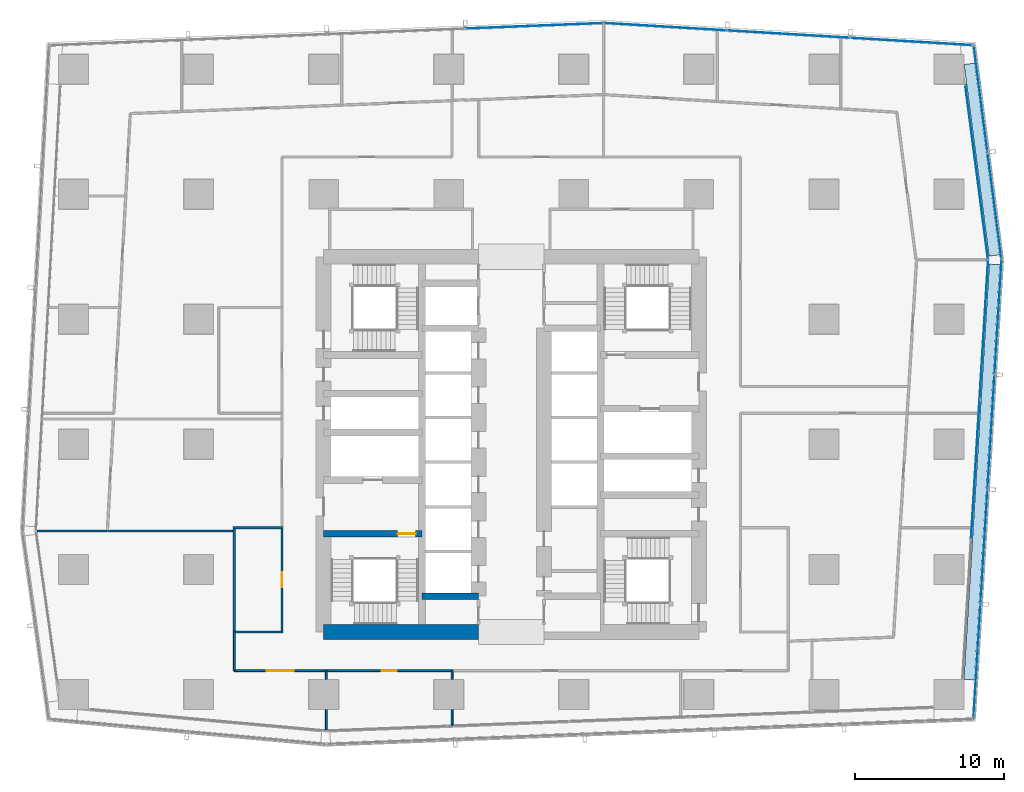
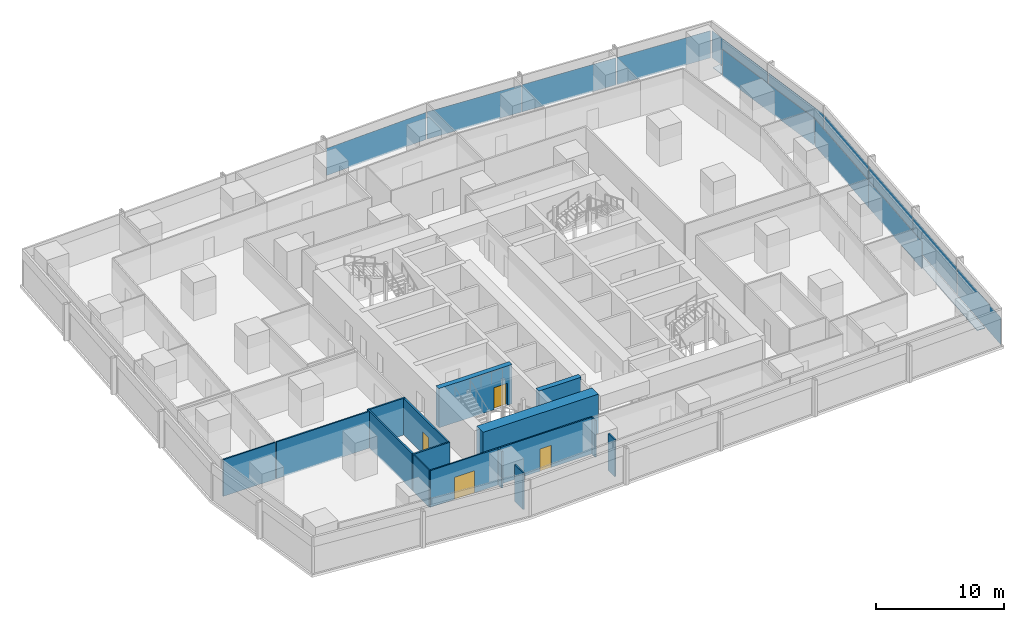
# One storey, part 28 of 39: 16 walls, 15 plates, 4 doors, 4 openings, 6 elements without a shape of their own.
"""IFC4 building model written with IfcOpenShell, lengths in metres."""

from ifc_helpers import new_model, si_unit, direction, frame, frame_2d, origin, origin_2d, place, context, subcontext, project, spatial, rectangle, extrude, material, layer, layer_set, type_object, element, fill, aggregate, save


model = new_model("IFC4")

# Units and contexts
model_context = context("Model", 3, precision=1e-05, world=origin(), true_north=direction((0.0, 1.0)))
body_context = subcontext(model_context, "Body", "Model", "MODEL_VIEW")
ifc_project = project(units=[si_unit("LENGTHUNIT", "METRE"), si_unit("AREAUNIT", "SQUARE_METRE"), si_unit("VOLUMEUNIT", "CUBIC_METRE"), si_unit("PLANEANGLEUNIT", "RADIAN"), si_unit("MASSUNIT", "GRAM", prefix="KILO")], contexts=[model_context])

# Site, building, storey
site_placement = place(None, origin())
site = spatial("IfcSite", under=ifc_project, at=site_placement, CompositionType="ELEMENT")
building_placement = place(site_placement, origin())
building = spatial("IfcBuilding", under=site, at=building_placement, Name="Rekha Terrace Tower", CompositionType="ELEMENT")
storey_placement = place(building_placement, frame((0.0, 0.0, 151.550048828125)))
storey = spatial("IfcBuildingStorey", under=building, at=storey_placement, Name="L38", CompositionType="ELEMENT", Elevation=151.550048828125)

# Curtain wall, plates
ifc_material_1 = material(Name="Aluminium framing", Category="aluminium")
curtain_wall_type_1 = type_object("IfcCurtainWallType", Name="CW1 double skin inner glazing", PredefinedType="USERDEFINED", material=ifc_material_1)
curtain_wall_1_placement = place(storey_placement, origin())
curtain_wall_1 = element("IfcCurtainWall", 1, at=curtain_wall_1_placement, inside=storey, type_object=curtain_wall_type_1, Name="CW1 double skin inner glazing", ObjectType="DOUBLE SKIN INNER GLAZING", PredefinedType="USERDEFINED")
ifc_material_2 = material(Name="Double-glazed low-e unit 32", Category="glass")
ifc_layer_1 = layer(ifc_material_2, 0.031982421875)
ifc_layer_set_1 = layer_set([ifc_layer_1], Name="Double-glazed low-e unit 32")
plate_type_1 = type_object("IfcPlateType", Name="CW1 jumbo vision panel, double-glazed low-e unit 32", PredefinedType="CURTAIN_PANEL", material=ifc_layer_set_1)
plate_1_placement = place(storey_placement, frame((68.973388671875, 31.898681640625, 0.0), z_axis=(0.0, 0.0, 1.0), x_axis=(0.061159803131, 0.998127987024, 0.0)))
plate_1 = element("IfcPlate", 2, at=plate_1_placement, type_object=plate_type_1, Name="CW1 panel 2.1", PredefinedType="CURTAIN_PANEL", context=body_context, shape_type="SweptSolid", body=[
    extrude(rectangle(XDim=9.334716796875, YDim=0.031982421875, at=origin_2d()), origin(), (0.0, 0.0, 1.0), 2.60009765625),
])
plate_2_placement = place(storey_placement, frame((69.54931640625, 41.296875, 0.0), z_axis=(0.0, 0.0, 1.0), x_axis=(0.061159803131, 0.998127987024, 0.0)))
plate_2 = element("IfcPlate", 3, at=plate_2_placement, type_object=plate_type_1, Name="CW1 panel 3.1", PredefinedType="CURTAIN_PANEL", context=body_context, shape_type="SweptSolid", body=[
    extrude(rectangle(XDim=9.3671875, YDim=0.031982421875, at=origin_2d()), origin(), (0.0, 0.0, 1.0), 2.60009765625),
])
aggregate(curtain_wall_1, [plate_1, plate_2])

# Curtain wall, plate
curtain_wall_2_placement = place(storey_placement, origin())
curtain_wall_2 = element("IfcCurtainWall", 4, at=curtain_wall_2_placement, inside=storey, type_object=curtain_wall_type_1, Name="CW1 double skin inner glazing", ObjectType="DOUBLE SKIN INNER GLAZING", PredefinedType="USERDEFINED")
plate_3_placement = place(storey_placement, frame((69.066162109375, 51.882080078125, 0.0), z_axis=(0.0, 0.0, 1.0), x_axis=(-0.129118383675, 0.991629186237, 0.0)))
plate_3 = element("IfcPlate", 5, at=plate_3_placement, type_object=plate_type_1, Name="CW1 panel 1.1", PredefinedType="CURTAIN_PANEL", context=body_context, shape_type="SweptSolid", body=[
    extrude(rectangle(XDim=11.79052734375, YDim=0.031982421875, at=origin_2d()), origin(), (0.0, 0.0, 1.0), 2.60009765625),
])
aggregate(curtain_wall_2, [plate_3])

# Curtain wall, plates
curtain_wall_type_2 = type_object("IfcCurtainWallType", Name="CW2 double skin outer glazing", PredefinedType="USERDEFINED", material=ifc_material_1)
curtain_wall_3_placement = place(storey_placement, origin())
curtain_wall_3 = element("IfcCurtainWall", 6, at=curtain_wall_3_placement, inside=storey, type_object=curtain_wall_type_2, Name="CW2 double skin outer glazing", ObjectType="DOUBLE SKIN OUTER GLAZING", PredefinedType="USERDEFINED")
ifc_material_3 = material(Name="Toughened single glazing 12", Category="glass")
ifc_layer_2 = layer(ifc_material_3, 0.011962890625)
ifc_layer_set_2 = layer_set([ifc_layer_2], Name="Toughened single glazing 12")
plate_type_2 = type_object("IfcPlateType", Name="CW2 jumbo vision panel, toughened single glazing 12", PredefinedType="CURTAIN_PANEL", material=ifc_layer_set_2)
plate_4_placement = place(storey_placement, frame((69.086669921875, 19.0302734375, 0.0), z_axis=(0.0, 0.0, 1.0), x_axis=(0.061159803131, 0.998127987024, 0.0)))
plate_4 = element("IfcPlate", 7, at=plate_4_placement, type_object=plate_type_2, Name="CW2 panel 1.1", PredefinedType="CURTAIN_PANEL", context=body_context, shape_type="SweptSolid", body=[
    extrude(rectangle(XDim=7.6064453125, YDim=0.011962890625, at=origin_2d()), origin(), (0.0, 0.0, 1.0), 2.60009765625),
])
plate_5_placement = place(storey_placement, frame((69.557861328125, 26.722412109375, 0.0), z_axis=(0.0, 0.0, 1.0), x_axis=(0.061159803131, 0.998127987024, 0.0)))
plate_5 = element("IfcPlate", 8, at=plate_5_placement, type_object=plate_type_2, Name="CW2 panel 2.1", PredefinedType="CURTAIN_PANEL", context=body_context, shape_type="SweptSolid", body=[
    extrude(rectangle(XDim=7.646484375, YDim=0.011962890625, at=origin_2d()), origin(), (0.0, 0.0, 1.0), 2.60009765625),
])
plate_6_placement = place(storey_placement, frame((70.030517578125, 34.434326171875, 0.0), z_axis=(0.0, 0.0, 1.0), x_axis=(0.061159803131, 0.998127987024, 0.0)))
plate_6 = element("IfcPlate", 9, at=plate_6_placement, type_object=plate_type_2, Name="CW2 panel 3.1", PredefinedType="CURTAIN_PANEL", context=body_context, shape_type="SweptSolid", body=[
    extrude(rectangle(XDim=7.646484375, YDim=0.011962890625, at=origin_2d()), origin(), (0.0, 0.0, 1.0), 2.60009765625),
])
plate_7_placement = place(storey_placement, frame((70.50439453125, 42.16650390625, 0.0), z_axis=(0.0, 0.0, 1.0), x_axis=(0.061159803131, 0.998127987024, 0.0)))
plate_7 = element("IfcPlate", 10, at=plate_7_placement, type_object=plate_type_2, Name="CW2 panel 4.1", PredefinedType="CURTAIN_PANEL", context=body_context, shape_type="SweptSolid", body=[
    extrude(rectangle(XDim=7.6865234375, YDim=0.011962890625, at=origin_2d()), origin(), (0.0, 0.0, 1.0), 2.60009765625),
])
aggregate(curtain_wall_3, [plate_4, plate_5, plate_6, plate_7])

curtain_wall_4_placement = place(storey_placement, origin())
curtain_wall_4 = element("IfcCurtainWall", 11, at=curtain_wall_4_placement, inside=storey, type_object=curtain_wall_type_2, Name="CW2 double skin outer glazing", ObjectType="DOUBLE SKIN OUTER GLAZING", PredefinedType="USERDEFINED")
plate_8_placement = place(storey_placement, frame((70.2666015625, 49.6337890625, 0.0), z_axis=(0.0, 0.0, 1.0), x_axis=(-0.129118383623, 0.991629186244, 0.0)))
plate_8 = element("IfcPlate", 12, at=plate_8_placement, type_object=plate_type_2, Name="CW2 panel 1.1", PredefinedType="CURTAIN_PANEL", context=body_context, shape_type="SweptSolid", body=[
    extrude(rectangle(XDim=7.163818359375, YDim=0.011962890625, at=origin_2d()), origin(), (0.0, 0.0, 1.0), 2.60009765625),
])
plate_9_placement = place(storey_placement, frame((69.331298828125, 56.81689453125, 0.0), z_axis=(0.0, 0.0, 1.0), x_axis=(-0.129118383623, 0.991629186244, 0.0)))
plate_9 = element("IfcPlate", 13, at=plate_9_placement, type_object=plate_type_2, Name="CW2 panel 2.1", PredefinedType="CURTAIN_PANEL", context=body_context, shape_type="SweptSolid", body=[
    extrude(rectangle(XDim=7.163818359375, YDim=0.011962890625, at=origin_2d()), origin(), (0.0, 0.0, 1.0), 2.60009765625),
])
aggregate(curtain_wall_4, [plate_8, plate_9])

curtain_wall_type_3 = type_object("IfcCurtainWallType", Name="CW3 north unitised glazing", PredefinedType="USERDEFINED", material=ifc_material_1)
curtain_wall_5_placement = place(storey_placement, origin())
curtain_wall_5 = element("IfcCurtainWall", 14, at=curtain_wall_5_placement, inside=storey, type_object=curtain_wall_type_3, Name="CW3 unitised curtain wall", ObjectType="UNITISED CURTAIN WALL", PredefinedType="USERDEFINED")
ifc_material_4 = material(Name="Double-glazed unit 28", Category="glass")
ifc_layer_3 = layer(ifc_material_4, 0.028076171875)
ifc_layer_set_3 = layer_set([ifc_layer_3], Name="Double-glazed unit 28")
plate_type_3 = type_object("IfcPlateType", Name="CW3 jumbo vision panel, double-glazed unit 28", PredefinedType="CURTAIN_PANEL", material=ifc_layer_set_3)
plate_10_placement = place(storey_placement, frame((64.6748046875, 60.65966796875, 0.0), z_axis=(0.0, 0.0, 1.0), x_axis=(-0.998199102701, 0.059987926837, 0.0)))
plate_10 = element("IfcPlate", 15, at=plate_10_placement, type_object=plate_type_3, Name="CW3 panel 1.1", PredefinedType="CURTAIN_PANEL", context=body_context, shape_type="SweptSolid", body=[
    extrude(rectangle(XDim=8.171630859375, YDim=0.028076171875, at=origin_2d()), origin(), (0.0, 0.0, 1.0), 2.60009765625),
])
plate_11_placement = place(storey_placement, frame((56.430419921875, 61.155029296875, 0.0), z_axis=(0.0, 0.0, 1.0), x_axis=(-0.998199102701, 0.059987926837, 0.0)))
plate_11 = element("IfcPlate", 16, at=plate_11_placement, type_object=plate_type_3, Name="CW3 panel 2.1", PredefinedType="CURTAIN_PANEL", context=body_context, shape_type="SweptSolid", body=[
    extrude(rectangle(XDim=8.20654296875, YDim=0.028076171875, at=origin_2d()), origin(), (0.0, 0.0, 1.0), 2.60009765625),
])
plate_12_placement = place(storey_placement, frame((48.1513671875, 61.652587890625, 0.0), z_axis=(0.0, 0.0, 1.0), x_axis=(-0.998199102701, 0.059987926837, 0.0)))
plate_12 = element("IfcPlate", 17, at=plate_12_placement, type_object=plate_type_3, Name="CW3 panel 3.1", PredefinedType="CURTAIN_PANEL", context=body_context, shape_type="SweptSolid", body=[
    extrude(rectangle(XDim=8.24169921875, YDim=0.028076171875, at=origin_2d()), origin(), (0.0, 0.0, 1.0), 2.60009765625),
])
aggregate(curtain_wall_5, [plate_10, plate_11, plate_12])

# Curtain wall, plate
curtain_wall_6_placement = place(storey_placement, origin())
curtain_wall_6 = element("IfcCurtainWall", 18, at=curtain_wall_6_placement, inside=storey, type_object=curtain_wall_type_3, Name="CW3 unitised curtain wall", ObjectType="UNITISED CURTAIN WALL", PredefinedType="USERDEFINED")
plate_13_placement = place(storey_placement, frame((39.364501953125, 61.71240234375, 0.0), z_axis=(0.0, 0.0, 1.0), x_axis=(-0.999198398721, -0.040031987119, 0.0)))
plate_13 = element("IfcPlate", 19, at=plate_13_placement, type_object=plate_type_3, Name="CW3 panel 1.1", PredefinedType="CURTAIN_PANEL", context=body_context, shape_type="SweptSolid", body=[
    extrude(rectangle(XDim=9.214599609375, YDim=0.028076171875, at=origin_2d()), origin(), (0.0, 0.0, 1.0), 2.60009765625),
])
aggregate(curtain_wall_6, [plate_13])

# Plates
ifc_material_5 = material(Name="Galvanised steel open grating", Category="steel")
ifc_layer_4 = layer(ifc_material_5, 0.050048828125)
ifc_layer_set_4 = layer_set([ifc_layer_4], Name="Galvanised steel open grating")
plate_type_4 = type_object("IfcPlateType", Name="GT1 cavity walkway grating 50", PredefinedType="USERDEFINED", material=ifc_layer_set_4)
plate_14_placement = place(storey_placement, frame((69.414794921875, 31.742919921875, 0.0), z_axis=(0.0, 0.0, 1.0), x_axis=(0.061159803131, 0.998127987024, 0.0)))
element("IfcPlate", 20, at=plate_14_placement, inside=storey, type_object=plate_type_4, Name="Cavity walkway grating", ObjectType="CAVITY WALKWAY GRATING", PredefinedType="USERDEFINED", context=body_context, shape_type="SweptSolid", body=[
    extrude(rectangle(XDim=27.94189453125, YDim=0.705078125, at=origin_2d()), origin(), (0.0, 0.0, 1.0), 0.050048828125),
])
plate_15_placement = place(storey_placement, frame((69.410400390625, 52.723876953125, 0.0), z_axis=(0.0, 0.0, 1.0), x_axis=(-0.129118383623, 0.991629186244, 0.0)))
element("IfcPlate", 21, at=plate_15_placement, inside=storey, type_object=plate_type_4, Name="Cavity walkway grating", ObjectType="CAVITY WALKWAY GRATING", PredefinedType="USERDEFINED", context=body_context, shape_type="SweptSolid", body=[
    extrude(rectangle(XDim=12.987060546875, YDim=0.705078125, at=origin_2d()), origin(), (0.0, 0.0, 1.0), 0.050048828125),
])

# Wall
ifc_material_6 = material(Name="Concrete M70", Category="concrete")
ifc_layer_5 = layer(ifc_material_6, 0.449951171875)
ifc_layer_set_5 = layer_set([ifc_layer_5], Name="Concrete M70")
wall_type_1 = type_object("IfcWallType", Name="CI2 450 core internal shear wall", PredefinedType="SHEAR", material=ifc_layer_set_5)
wall_1_placement = place(storey_placement, frame((31.800048828125, 23.39990234375, 0.0), z_axis=(0.0, 0.0, 1.0), x_axis=(1.0, 0.0, 0.0)))
element("IfcWall", 22, at=wall_1_placement, inside=storey, type_object=wall_type_1, Name="Core wall Y234W L38", PredefinedType="SHEAR", context=body_context, shape_type="SweptSolid", body=[
    extrude(rectangle(XDim=3.800048828125, YDim=0.449951171875, at=frame_2d((1.89990234375, 0.0))), origin(), (0.0, 0.0, 1.0), 3.75),
])

# Wall, opening, door
wall_2_placement = place(storey_placement, frame((25.199951171875, 27.60009765625, 0.0), z_axis=(0.0, 0.0, 1.0), x_axis=(1.0, 0.0, 0.0)))
wall_2 = element("IfcWall", 23, at=wall_2_placement, inside=storey, type_object=wall_type_1, Name="Core wall Y276W L38", PredefinedType="SHEAR", context=body_context, shape_type="SweptSolid", body=[
    extrude(rectangle(XDim=6.60009765625, YDim=0.449951171875, at=frame_2d((3.300048828125, 0.0))), origin(), (0.0, 0.0, 1.0), 3.75),
])
opening_1_placement = place(wall_2_placement, frame((4.97509765625, 0.0, 0.0)))
opening_1 = element("IfcOpeningElement", 24, at=opening_1_placement, cuts=wall_2, Name="Opening D1", PredefinedType="OPENING", context=body_context, shape_type="SweptSolid", body=[
    extrude(rectangle(XDim=1.199951171875, YDim=2.10009765625, at=frame_2d((0.60009765625, 1.050048828125))), frame((0.0, 0.23486328125, 0.0), z_axis=(0.0, -1.0, 0.0), x_axis=(1.0, 0.0, 0.0)), (0.0, 0.0, 1.0), 0.469970703125),
])
ifc_material_7 = material(Name="Steel fire door", Category="steel")
door_type_1 = type_object("IfcDoorType", Name="D1 1200x2100 stair fire door", OperationType="SINGLE_SWING_RIGHT", PredefinedType="DOOR", material=ifc_material_7)
door_1_placement = place(opening_1_placement, origin())
door_1 = element("IfcDoor", 25, at=door_1_placement, inside=storey, type_object=door_type_1, Name="Stair ST1 door L38", OperationType="SINGLE_SWING_RIGHT", OverallHeight=2.10009765625, OverallWidth=1.199951171875, PredefinedType="DOOR", context=body_context, shape_type="SweptSolid", body=[
    extrude(rectangle(XDim=1.199951171875, YDim=2.10009765625, at=frame_2d((0.60009765625, 1.050048828125))), frame((0.0, 0.02490234375, 0.0), z_axis=(0.0, -1.0, 0.0), x_axis=(1.0, 0.0, 0.0)), (0.0, 0.0, 1.0), 0.050048828125),
])
fill(opening_1, door_1)

# Walls
ifc_layer_6 = layer(ifc_material_6, 1.0)
ifc_layer_set_6 = layer_set([ifc_layer_6], Name="Concrete M70")
wall_type_2 = type_object("IfcWallType", Name="SW2 1000 core outer shear wall", PredefinedType="SHEAR", material=ifc_layer_set_6)
wall_3_placement = place(storey_placement, frame((25.199951171875, 21.0, 0.0), z_axis=(0.0, 0.0, 1.0), x_axis=(1.0, 0.0, 0.0)))
element("IfcWall", 26, at=wall_3_placement, inside=storey, type_object=wall_type_2, Name="Core wall S1 L38", PredefinedType="SHEAR", context=body_context, shape_type="SweptSolid", body=[
    extrude(rectangle(XDim=10.400146484375, YDim=1.0, at=frame_2d((5.2001953125, 0.0))), origin(), (0.0, 0.0, 1.0), 3.75),
])
ifc_material_8 = material(Name="Concrete block masonry, 1 hour", Category="masonry")
ifc_layer_7 = layer(ifc_material_8, 0.14990234375)
ifc_layer_set_7 = layer_set([ifc_layer_7], Name="Concrete block masonry, 1 hour")
wall_type_3 = type_object("IfcWallType", Name="WP2 150 tenancy partition", PredefinedType="PARTITIONING", material=ifc_layer_set_7)
for number, where, z_axis, x_axis, name in (
    (27, (19.125, 21.0, 0.0), (0.0, 0.0, 1.0), (1.0, 0.0, 0.0), "Men's WC wall L38"),
    (28, (19.125, 28.0, 0.0), (0.0, 0.0, 1.0), (1.0, 0.0, 0.0), "Men's WC wall L38"),
):
    element("IfcWall", number, at=place(storey_placement, frame(where, z_axis=z_axis, x_axis=x_axis)), inside=storey, type_object=wall_type_3, Name=name, PredefinedType="PARTITIONING", context=body_context, shape_type="SweptSolid", body=[
        extrude(rectangle(XDim=3.35009765625, YDim=0.14990234375, at=frame_2d((1.675048828125, 0.0))), origin(), (0.0, 0.0, 1.0), 3.5),
    ])
wall_4_placement = place(storey_placement, frame((19.199951171875, 21.074951171875, 0.0), z_axis=(0.0, 0.0, 1.0), x_axis=(0.0, 1.0, 0.0)))
element("IfcWall", 29, at=wall_4_placement, inside=storey, type_object=wall_type_3, Name="Men's WC wall L38", PredefinedType="PARTITIONING", context=body_context, shape_type="SweptSolid", body=[
    extrude(rectangle(XDim=6.85009765625, YDim=0.14990234375, at=frame_2d((3.425048828125, 0.0))), origin(), (0.0, 0.0, 1.0), 3.5),
])

# Wall, opening, door
wall_5_placement = place(storey_placement, frame((22.39990234375, 21.074951171875, 0.0), z_axis=(0.0, 0.0, 1.0), x_axis=(0.0, 1.0, 0.0)))
wall_5 = element("IfcWall", 30, at=wall_5_placement, inside=storey, type_object=wall_type_3, Name="Men's WC wall L38", PredefinedType="PARTITIONING", context=body_context, shape_type="SweptSolid", body=[
    extrude(rectangle(XDim=6.85009765625, YDim=0.14990234375, at=frame_2d((3.425048828125, 0.0))), origin(), (0.0, 0.0, 1.0), 3.5),
])
opening_2_placement = place(wall_5_placement, frame((2.925048828125, 0.0, 0.0)))
opening_2 = element("IfcOpeningElement", 31, at=opening_2_placement, cuts=wall_5, Name="Opening D3", PredefinedType="OPENING", context=body_context, shape_type="SweptSolid", body=[
    extrude(rectangle(XDim=1.0, YDim=2.10009765625, at=frame_2d((0.5, 1.050048828125))), frame((0.0, 0.0849609375, 0.0), z_axis=(0.0, -1.0, 0.0), x_axis=(1.0, 0.0, 0.0)), (0.0, 0.0, 1.0), 0.169921875),
])
ifc_material_9 = material(Name="Laminated timber fire door", Category="wood")
door_type_2 = type_object("IfcDoorType", Name="D3 1000x2100 WC door", OperationType="SINGLE_SWING_LEFT", PredefinedType="DOOR", material=ifc_material_9)
door_2_placement = place(opening_2_placement, origin())
door_2 = element("IfcDoor", 32, at=door_2_placement, inside=storey, type_object=door_type_2, Name="Door men's wc L38", OperationType="SINGLE_SWING_LEFT", OverallHeight=2.10009765625, OverallWidth=1.0, PredefinedType="DOOR", context=body_context, shape_type="SweptSolid", body=[
    extrude(rectangle(XDim=1.0, YDim=2.10009765625, at=frame_2d((0.5, 1.050048828125))), frame((0.0, 0.02490234375, 0.0), z_axis=(0.0, -1.0, 0.0), x_axis=(1.0, 0.0, 0.0)), (0.0, 0.0, 1.0), 0.050048828125),
])
fill(opening_2, door_2)

# Walls
ifc_material_10 = material(Name="Two layers of fire-rated gypsum board each side on steel studs, acoustic quilt, 1 hour", Category="steel")
ifc_layer_8 = layer(ifc_material_10, 0.125)
ifc_layer_set_8 = layer_set([ifc_layer_8], Name="Two layers of fire-rated gypsum board each side on steel studs, acoustic quilt, 1 hour")
wall_type_4 = type_object("IfcWallType", Name="WP3 125 office partition", PredefinedType="PARTITIONING", material=ifc_layer_set_8)
wall_6_placement = place(storey_placement, frame((5.948974609375, 27.781005859375, 0.0), z_axis=(0.0, 0.0, 1.0), x_axis=(1.0, 0.0, 0.0)))
element("IfcWall", 33, at=wall_6_placement, inside=storey, type_object=wall_type_4, Name="Partition L38-08", PredefinedType="PARTITIONING", context=body_context, shape_type="SweptSolid", body=[
    extrude(rectangle(XDim=4.719970703125, YDim=0.125, at=frame_2d((2.35986328125, 0.0))), origin(), (0.0, 0.0, 1.0), 3.5),
])
wall_7_placement = place(storey_placement, frame((25.37890625, 18.39990234375, 0.0), z_axis=(0.0, 0.0, 1.0), x_axis=(0.0, -1.0, 0.0)))
element("IfcWall", 34, at=wall_7_placement, inside=storey, type_object=wall_type_4, Name="Partition L38-09", PredefinedType="PARTITIONING", context=body_context, shape_type="SweptSolid", body=[
    extrude(rectangle(XDim=0.579833984375, YDim=0.125, at=frame_2d((0.2900390625, 0.0))), origin(), (0.0, 0.0, 1.0), 3.5),
])
wall_8_placement = place(storey_placement, frame((25.37890625, 15.780029296875, 0.0), z_axis=(0.0, 0.0, 1.0), x_axis=(0.0, -1.0, 0.0)))
element("IfcWall", 35, at=wall_8_placement, inside=storey, type_object=wall_type_4, Name="Partition L38-09", PredefinedType="PARTITIONING", context=body_context, shape_type="SweptSolid", body=[
    extrude(rectangle(XDim=1.3369140625, YDim=0.125, at=frame_2d((0.66845703125, 0.0))), origin(), (0.0, 0.0, 1.0), 3.5),
])
wall_9_placement = place(storey_placement, frame((10.73193359375, 27.781005859375, 0.0), z_axis=(0.0, 0.0, 1.0), x_axis=(1.0, 0.0, 0.0)))
element("IfcWall", 36, at=wall_9_placement, inside=storey, type_object=wall_type_4, Name="Partition L38-09", PredefinedType="PARTITIONING", context=body_context, shape_type="SweptSolid", body=[
    extrude(rectangle(XDim=8.39306640625, YDim=0.125, at=frame_2d((4.196533203125, 0.0))), origin(), (0.0, 0.0, 1.0), 3.5),
])
wall_10_placement = place(storey_placement, frame((19.199951171875, 21.074951171875, 0.0), z_axis=(0.0, 0.0, 1.0), x_axis=(0.0, -1.0, 0.0)))
element("IfcWall", 37, at=wall_10_placement, inside=storey, type_object=wall_type_4, Name="Partition L38-09", PredefinedType="PARTITIONING", context=body_context, shape_type="SweptSolid", body=[
    extrude(rectangle(XDim=2.675048828125, YDim=0.125, at=frame_2d((1.33740234375, 0.0))), origin(), (0.0, 0.0, 1.0), 3.5),
])

# Wall, opening, door
wall_11_placement = place(storey_placement, frame((19.199951171875, 18.39990234375, 0.0), z_axis=(0.0, 0.0, 1.0), x_axis=(1.0, 0.0, 0.0)))
wall_11 = element("IfcWall", 38, at=wall_11_placement, inside=storey, type_object=wall_type_4, Name="Partition L38-09", PredefinedType="PARTITIONING", context=body_context, shape_type="SweptSolid", body=[
    extrude(rectangle(XDim=6.178955078125, YDim=0.125, at=frame_2d((3.08935546875, 0.0))), origin(), (0.0, 0.0, 1.0), 3.5),
])
opening_3_placement = place(wall_11_placement, frame((2.18994140625, 0.0, 0.0)))
opening_3 = element("IfcOpeningElement", 39, at=opening_3_placement, cuts=wall_11, Name="Opening D8", PredefinedType="OPENING", context=body_context, shape_type="SweptSolid", body=[
    extrude(rectangle(XDim=1.800048828125, YDim=2.10009765625, at=frame_2d((0.89990234375, 1.050048828125))), frame((0.0, 0.072509765625, 0.0), z_axis=(0.0, -1.0, 0.0), x_axis=(1.0, 0.0, 0.0)), (0.0, 0.0, 1.0), 0.14501953125),
])
ifc_material_11 = material(Name="Timber fire door", Category="wood")
door_type_3 = type_object("IfcDoorType", Name="D8 1800x2100 double leaf door", OperationType="DOUBLE_DOOR_SINGLE_SWING", PredefinedType="DOOR", material=ifc_material_11)
door_3_placement = place(opening_3_placement, origin())
door_3 = element("IfcDoor", 40, at=door_3_placement, inside=storey, type_object=door_type_3, Name="Door quiet room L38", OperationType="DOUBLE_DOOR_SINGLE_SWING", OverallHeight=2.10009765625, OverallWidth=1.800048828125, PredefinedType="DOOR", context=body_context, shape_type="SweptSolid", body=[
    extrude(rectangle(XDim=1.800048828125, YDim=2.10009765625, at=frame_2d((0.89990234375, 1.050048828125))), frame((0.0, 0.02490234375, 0.0), z_axis=(0.0, -1.0, 0.0), x_axis=(1.0, 0.0, 0.0)), (0.0, 0.0, 1.0), 0.050048828125),
])
fill(opening_3, door_3)

wall_12_placement = place(storey_placement, frame((25.3798828125, 18.39990234375, 0.0), z_axis=(0.0, 0.0, 1.0), x_axis=(1.0, 0.0, 0.0)))
wall_12 = element("IfcWall", 41, at=wall_12_placement, inside=storey, type_object=wall_type_4, Name="Partition L38-10", PredefinedType="PARTITIONING", context=body_context, shape_type="SweptSolid", body=[
    extrude(rectangle(XDim=8.445068359375, YDim=0.125, at=frame_2d((4.22265625, 0.0))), origin(), (0.0, 0.0, 1.0), 3.5),
])
opening_4_placement = place(wall_12_placement, frame((3.722900390625, 0.0, 0.0)))
opening_4 = element("IfcOpeningElement", 42, at=opening_4_placement, cuts=wall_12, Name="Opening D9", PredefinedType="OPENING", context=body_context, shape_type="SweptSolid", body=[
    extrude(rectangle(XDim=1.0, YDim=2.10009765625, at=frame_2d((0.5, 1.050048828125))), frame((0.0, 0.072509765625, 0.0), z_axis=(0.0, -1.0, 0.0), x_axis=(1.0, 0.0, 0.0)), (0.0, 0.0, 1.0), 0.14501953125),
])
door_type_4 = type_object("IfcDoorType", Name="D9 1000x2100 office door", OperationType="SINGLE_SWING_LEFT", PredefinedType="DOOR", material=ifc_material_11)
door_4_placement = place(opening_4_placement, origin())
door_4 = element("IfcDoor", 43, at=door_4_placement, inside=storey, type_object=door_type_4, Name="Door meeting room L38", OperationType="SINGLE_SWING_LEFT", OverallHeight=2.10009765625, OverallWidth=1.0, PredefinedType="DOOR", context=body_context, shape_type="SweptSolid", body=[
    extrude(rectangle(XDim=1.0, YDim=2.10009765625, at=frame_2d((0.5, 1.050048828125))), frame((0.0, 0.02490234375, 0.0), z_axis=(0.0, -1.0, 0.0), x_axis=(1.0, 0.0, 0.0)), (0.0, 0.0, 1.0), 0.050048828125),
])
fill(opening_4, door_4)

# Walls
wall_13_placement = place(storey_placement, frame((33.824951171875, 18.39990234375, 0.0), z_axis=(0.0, 0.0, 1.0), x_axis=(0.0, -1.0, 0.0)))
element("IfcWall", 44, at=wall_13_placement, inside=storey, type_object=wall_type_4, Name="Partition L38-10", PredefinedType="PARTITIONING", context=body_context, shape_type="SweptSolid", body=[
    extrude(rectangle(XDim=0.579833984375, YDim=0.125, at=frame_2d((0.2900390625, 0.0))), origin(), (0.0, 0.0, 1.0), 3.5),
])
wall_14_placement = place(storey_placement, frame((33.824951171875, 15.780029296875, 0.0), z_axis=(0.0, 0.0, 1.0), x_axis=(0.0, -1.0, 0.0)))
element("IfcWall", 45, at=wall_14_placement, inside=storey, type_object=wall_type_4, Name="Partition L38-10", PredefinedType="PARTITIONING", context=body_context, shape_type="SweptSolid", body=[
    extrude(rectangle(XDim=1.0380859375, YDim=0.125, at=frame_2d((0.51904296875, 0.0))), origin(), (0.0, 0.0, 1.0), 3.5),
])

save(model, "model.ifc")
